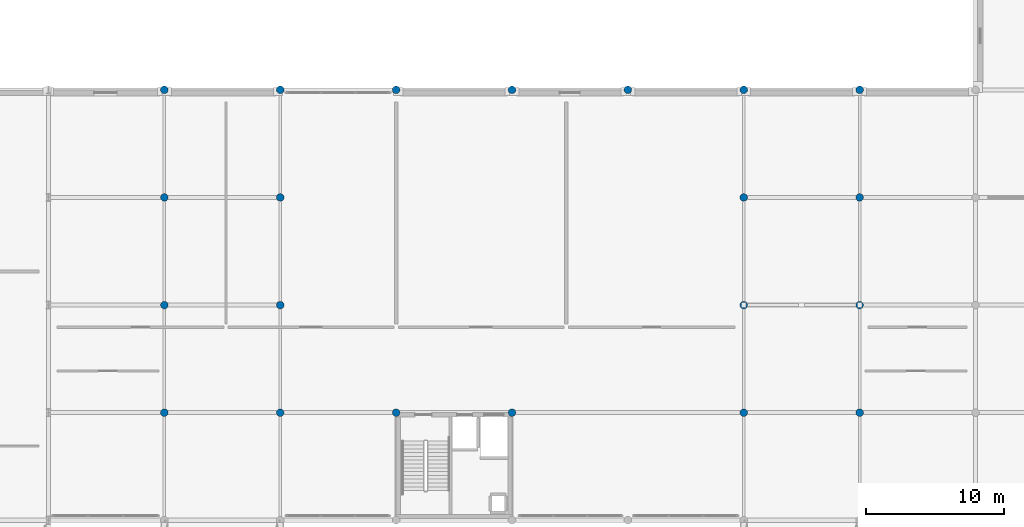
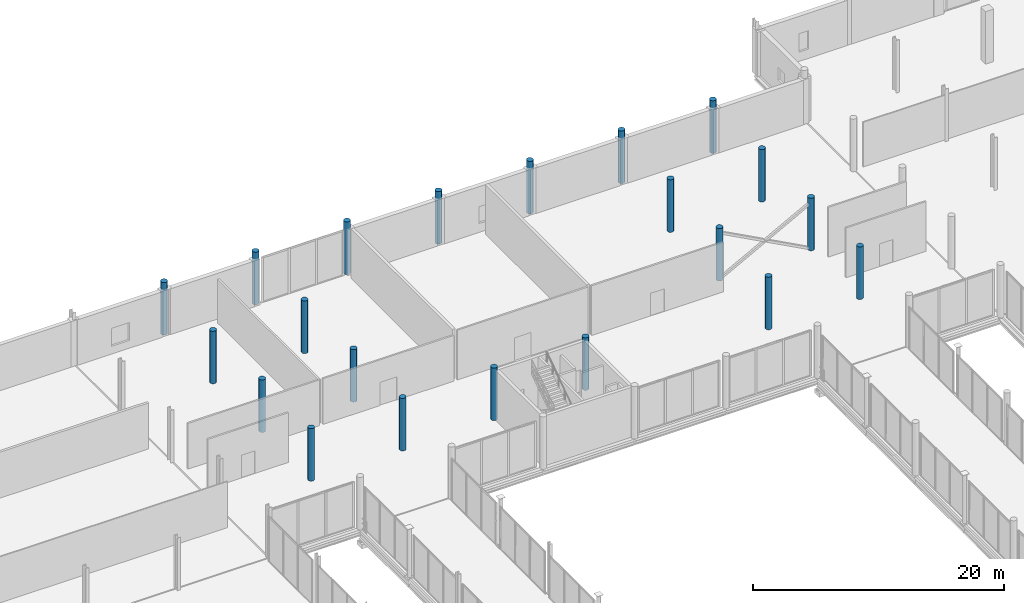
# One storey, part 14 of 105: 21 columns.
"""IFC4 building model written with IfcOpenShell, lengths in metres."""

from ifc_helpers import new_model, si_unit, direction, frame, origin, origin_2d, place, context, subcontext, project, spatial, circle, extrude, material, material_profile, profile_set, type_object, element, save


model = new_model("IFC4")

# Units and contexts
model_context = context("Model", 3, precision=1e-05, world=origin(), true_north=direction((0.0, 1.0)))
body_context = subcontext(model_context, "Body", "Model", "MODEL_VIEW")
ifc_project = project(units=[si_unit("LENGTHUNIT", "METRE"), si_unit("AREAUNIT", "SQUARE_METRE"), si_unit("VOLUMEUNIT", "CUBIC_METRE"), si_unit("PLANEANGLEUNIT", "RADIAN"), si_unit("MASSUNIT", "GRAM", prefix="KILO")], contexts=[model_context])

# Site, building, storey
site_placement = place(None, origin())
site = spatial("IfcSite", under=ifc_project, at=site_placement, CompositionType="ELEMENT")
building_placement = place(site_placement, origin())
building = spatial("IfcBuilding", under=site, at=building_placement, Name="Nabrawat Pavilion Hospital", CompositionType="ELEMENT")
storey_placement = place(building_placement, frame((0.0, 0.0, 5.10009765625)))
storey = spatial("IfcBuildingStorey", under=building, at=storey_placement, Name="L01", CompositionType="ELEMENT", Elevation=5.10009765625)

# Columns
ifc_material = material(Name="Concrete C40/50", Category="concrete")
ifc_material_profile = material_profile(ifc_material, circle(Radius=0.27490234375, at=origin_2d()), Name="RC D550")
ifc_profile_set = profile_set([ifc_material_profile], Name="Concrete C40/50")
column_type = type_object("IfcColumnType", Name="Diagnostic Circular RC Column D550", PredefinedType="COLUMN", material=ifc_profile_set)
for number, where, z_axis, x_axis, name in (
    (1, (75.60009765625, 93.60009765625, 0.0), (0.0, 0.0, 1.0), (1.0, 0.0, 0.0), "L01 Structural Column G-10-N"),
    (2, (75.60009765625, 101.39990234375, 0.0), (0.0, 0.0, 1.0), (1.0, 0.0, 0.0), "L01 Structural Column G-10-P"),
    (3, (75.60009765625, 109.199951171875, 0.0), (0.0, 0.0, 1.0), (1.0, 0.0, 0.0), "L01 Structural Column G-10-Q"),
    (4, (75.60009765625, 117.0, 0.0), (0.0, 0.0, 1.0), (1.0, 0.0, 0.0), "L01 Structural Column G-10-R"),
    (5, (84.0, 93.60009765625, 0.0), (0.0, 0.0, 1.0), (1.0, 0.0, 0.0), "L01 Structural Column G-11-N"),
    (6, (84.0, 117.0, 0.0), (0.0, 0.0, 1.0), (1.0, 0.0, 0.0), "L01 Structural Column G-11-R"),
    (7, (92.39990234375, 93.60009765625, 0.0), (0.0, 0.0, 1.0), (1.0, 0.0, 0.0), "L01 Structural Column G-12-N"),
    (8, (92.39990234375, 117.0, 0.0), (0.0, 0.0, 1.0), (1.0, 0.0, 0.0), "L01 Structural Column G-12-R"),
    (9, (100.800048828125, 117.0, 0.0), (0.0, 0.0, 1.0), (1.0, 0.0, 0.0), "L01 Structural Column G-13-R"),
    (10, (109.199951171875, 93.60009765625, 0.0), (0.0, 0.0, 1.0), (1.0, 0.0, 0.0), "L01 Structural Column G-14-N"),
    (11, (109.199951171875, 101.39990234375, 0.0), (0.0, 0.0, 1.0), (1.0, 0.0, 0.0), "L01 Structural Column G-14-P"),
    (12, (109.199951171875, 109.199951171875, 0.0), (0.0, 0.0, 1.0), (1.0, 0.0, 0.0), "L01 Structural Column G-14-Q"),
    (13, (109.199951171875, 117.0, 0.0), (0.0, 0.0, 1.0), (1.0, 0.0, 0.0), "L01 Structural Column G-14-R"),
    (14, (117.60009765625, 93.60009765625, 0.0), (0.0, 0.0, 1.0), (1.0, 0.0, 0.0), "L01 Structural Column G-15-N"),
    (15, (117.60009765625, 101.39990234375, 0.0), (0.0, 0.0, 1.0), (1.0, 0.0, 0.0), "L01 Structural Column G-15-P"),
    (16, (117.60009765625, 109.199951171875, 0.0), (0.0, 0.0, 1.0), (1.0, 0.0, 0.0), "L01 Structural Column G-15-Q"),
    (17, (117.60009765625, 117.0, 0.0), (0.0, 0.0, 1.0), (1.0, 0.0, 0.0), "L01 Structural Column G-15-R"),
    (18, (67.199951171875, 93.60009765625, 0.0), (0.0, 0.0, 1.0), (1.0, 0.0, 0.0), "L01 Structural Column G-9-N"),
    (19, (67.199951171875, 101.39990234375, 0.0), (0.0, 0.0, 1.0), (1.0, 0.0, 0.0), "L01 Structural Column G-9-P"),
    (20, (67.199951171875, 109.199951171875, 0.0), (0.0, 0.0, 1.0), (1.0, 0.0, 0.0), "L01 Structural Column G-9-Q"),
    (21, (67.199951171875, 117.0, 0.0), (0.0, 0.0, 1.0), (1.0, 0.0, 0.0), "L01 Structural Column G-9-R"),
):
    element("IfcColumn", number, at=place(storey_placement, frame(where, z_axis=z_axis, x_axis=x_axis)), inside=storey, type_object=column_type, Name=name, PredefinedType="COLUMN", context=body_context, shape_type="SweptSolid", body=[
        extrude(circle(Radius=0.27490234375, at=origin_2d()), origin(), (0.0, 0.0, 1.0), 5.099853515625),
    ])

save(model, "model.ifc")
